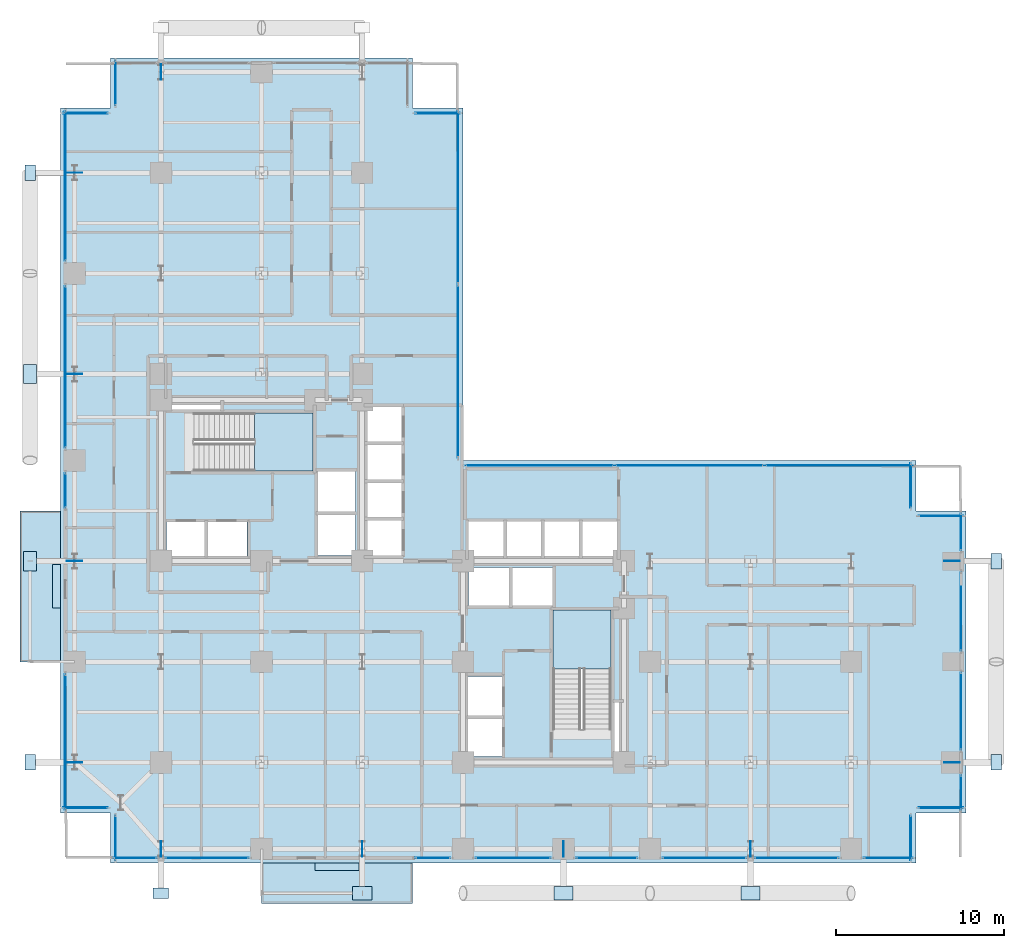
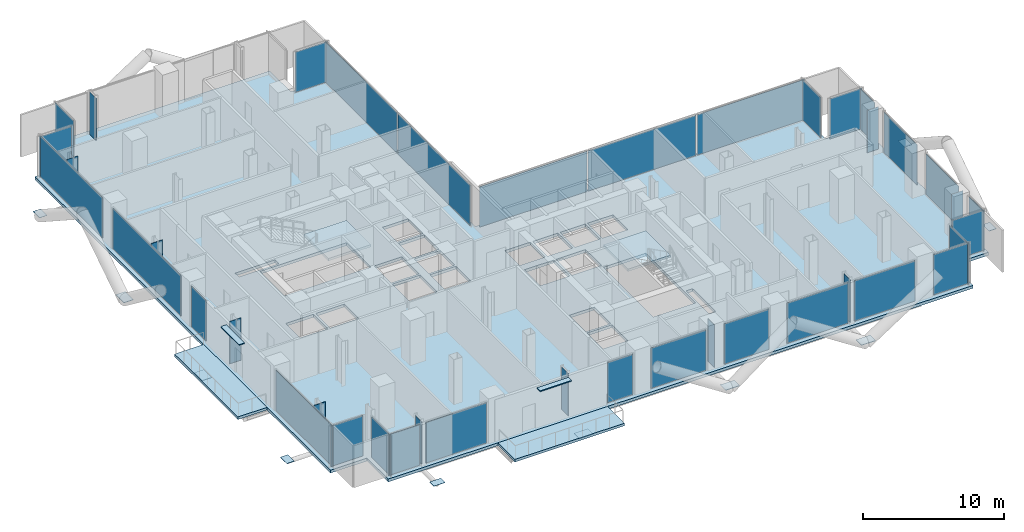
# One storey, part 17 of 25: 53 plates, 5 slabs, 29 elements without a shape of their own.
"""IFC4 building model written with IfcOpenShell, lengths in metres."""

from ifc_helpers import new_model, si_unit, direction, frame, origin, origin_2d, place, context, subcontext, project, spatial, polyline, rectangle, outline, extrude, material, layer, layer_set, type_object, element, aggregate, save


model = new_model("IFC4")

# Units and contexts
model_context = context("Model", 3, precision=1e-05, world=origin(), true_north=direction((0.0, 1.0)))
body_context = subcontext(model_context, "Body", "Model", "MODEL_VIEW")
ifc_project = project(units=[si_unit("LENGTHUNIT", "METRE"), si_unit("AREAUNIT", "SQUARE_METRE"), si_unit("VOLUMEUNIT", "CUBIC_METRE"), si_unit("PLANEANGLEUNIT", "RADIAN"), si_unit("MASSUNIT", "GRAM", prefix="KILO"), si_unit("THERMODYNAMICTEMPERATUREUNIT", "KELVIN"), si_unit("POWERUNIT", "WATT")], contexts=[model_context])

# Site, building, storey
site_placement = place(None, origin())
site = spatial("IfcSite", under=ifc_project, at=site_placement, CompositionType="ELEMENT")
building_placement = place(site_placement, origin())
building = spatial("IfcBuilding", under=site, at=building_placement, Name="Svarakhadi Broadcast Tower", CompositionType="ELEMENT")
storey_placement = place(building_placement, frame((0.0, 0.0, 63.60009765625)))
storey = spatial("IfcBuildingStorey", under=building, at=storey_placement, Name="L14", CompositionType="ELEMENT", Elevation=63.60009765625)

# Curtain wall, plate
ifc_material_1 = material(Name="Anodised Bronze Aluminium AA 6063-T6", Category="aluminium")
ifc_layer_1 = layer(ifc_material_1, 0.219970703125)
ifc_layer_set_1 = layer_set([ifc_layer_1], Name="Anodised Bronze Aluminium AA 6063-T6")
curtain_wall_type = type_object("IfcCurtainWallType", Name="CW_Sys_02", PredefinedType="NOTDEFINED", material=ifc_layer_set_1)
curtain_wall_1_placement = place(storey_placement, origin())
curtain_wall_1 = element("IfcCurtainWall", 1, at=curtain_wall_1_placement, inside=storey, type_object=curtain_wall_type, Name="L14 Unitised Facade Curtain Wall 01", PredefinedType="NOTDEFINED")
ifc_material_2 = material(Name="Double Low-E Laminated Acoustic Glass IGU 36 mm", Category="glass")
ifc_layer_2 = layer(ifc_material_2, 0.035888671875)
ifc_layer_set_2 = layer_set([ifc_layer_2], Name="Double Low-E Laminated Acoustic Glass IGU 36 mm")
plate_type_1 = type_object("IfcPlateType", Name="CW_Sys_02_Pnl", PredefinedType="CURTAIN_PANEL", material=ifc_layer_set_2)
plate_1_placement = place(storey_placement, frame((1.5, 3.300048828125, 0.074951171875), z_axis=(0.0, 0.0, 1.0), x_axis=(-1.0, 0.0, 0.0)))
plate_1 = element("IfcPlate", 2, at=plate_1_placement, type_object=plate_type_1, Name="CW-02 panel 1.1", PredefinedType="CURTAIN_PANEL", context=body_context, shape_type="SweptSolid", body=[
    extrude(rectangle(XDim=2.64990234375, YDim=0.035888671875, at=origin_2d()), origin(), (0.0, 0.0, 1.0), 3.5),
])
aggregate(curtain_wall_1, [plate_1])

curtain_wall_2_placement = place(storey_placement, origin())
curtain_wall_2 = element("IfcCurtainWall", 3, at=curtain_wall_2_placement, inside=storey, type_object=curtain_wall_type, Name="L14 West Curtain Wall 02", PredefinedType="NOTDEFINED")
plate_2_placement = place(storey_placement, frame((0.300048828125, 7.2099609375, 0.074951171875), z_axis=(0.0, 0.0, 1.0), x_axis=(0.0, 1.0, 0.0)))
plate_2 = element("IfcPlate", 4, at=plate_2_placement, type_object=plate_type_1, Name="CW-02 panel 1.1", PredefinedType="CURTAIN_PANEL", context=body_context, shape_type="SweptSolid", body=[
    extrude(rectangle(XDim=8.070068359375, YDim=0.035888671875, at=origin_2d()), origin(), (0.0, 0.0, 1.0), 3.5),
])
aggregate(curtain_wall_2, [plate_2])

curtain_wall_3_placement = place(storey_placement, origin())
curtain_wall_3 = element("IfcCurtainWall", 5, at=curtain_wall_3_placement, inside=storey, type_object=curtain_wall_type, Name="L14 West Curtain Wall 03 Bay 1", PredefinedType="NOTDEFINED")
plate_3_placement = place(storey_placement, frame((0.300048828125, 22.2099609375, 0.074951171875), z_axis=(0.0, 0.0, 1.0), x_axis=(0.0, 1.0, 0.0)))
plate_3 = element("IfcPlate", 6, at=plate_3_placement, type_object=plate_type_1, Name="CW-02 panel 1.1", PredefinedType="CURTAIN_PANEL", context=body_context, shape_type="SweptSolid", body=[
    extrude(rectangle(XDim=2.070068359375, YDim=0.035888671875, at=origin_2d()), origin(), (0.0, 0.0, 1.0), 3.5),
])
aggregate(curtain_wall_3, [plate_3])

curtain_wall_4_placement = place(storey_placement, origin())
curtain_wall_4 = element("IfcCurtainWall", 7, at=curtain_wall_4_placement, inside=storey, type_object=curtain_wall_type, Name="L14 West Curtain Wall 03 Bay 2", PredefinedType="NOTDEFINED")
plate_4_placement = place(storey_placement, frame((0.300048828125, 29.574951171875, 0.074951171875), z_axis=(0.0, 0.0, 1.0), x_axis=(0.0, 1.0, 0.0)))
plate_4 = element("IfcPlate", 8, at=plate_4_placement, type_object=plate_type_1, Name="CW-02 panel 1.1", PredefinedType="CURTAIN_PANEL", context=body_context, shape_type="SweptSolid", body=[
    extrude(rectangle(XDim=9.639892578125, YDim=0.035888671875, at=origin_2d()), origin(), (0.0, 0.0, 1.0), 3.5),
])
aggregate(curtain_wall_4, [plate_4])

curtain_wall_5_placement = place(storey_placement, origin())
curtain_wall_5 = element("IfcCurtainWall", 9, at=curtain_wall_5_placement, inside=storey, type_object=curtain_wall_type, Name="L14 West Curtain Wall 03 Bay 3", PredefinedType="NOTDEFINED")
plate_5_placement = place(storey_placement, frame((0.300048828125, 40.364990234375, 0.074951171875), z_axis=(0.0, 0.0, 1.0), x_axis=(0.0, 1.0, 0.0)))
plate_5 = element("IfcPlate", 10, at=plate_5_placement, type_object=plate_type_1, Name="CW-02 panel 1.1", PredefinedType="CURTAIN_PANEL", context=body_context, shape_type="SweptSolid", body=[
    extrude(rectangle(XDim=8.919921875, YDim=0.035888671875, at=origin_2d()), origin(), (0.0, 0.0, 1.0), 3.5),
])
aggregate(curtain_wall_5, [plate_5])

curtain_wall_6_placement = place(storey_placement, origin())
curtain_wall_6 = element("IfcCurtainWall", 11, at=curtain_wall_6_placement, inside=storey, type_object=curtain_wall_type, Name="L14 Unitised Facade Curtain Wall 04", PredefinedType="NOTDEFINED")
plate_6_placement = place(storey_placement, frame((1.5, 44.699951171875, 0.074951171875), z_axis=(0.0, 0.0, 1.0), x_axis=(1.0, 0.0, 0.0)))
plate_6 = element("IfcPlate", 12, at=plate_6_placement, type_object=plate_type_1, Name="CW-02 panel 1.1", PredefinedType="CURTAIN_PANEL", context=body_context, shape_type="SweptSolid", body=[
    extrude(rectangle(XDim=2.64990234375, YDim=0.035888671875, at=origin_2d()), origin(), (0.0, 0.0, 1.0), 3.5),
])
aggregate(curtain_wall_6, [plate_6])

curtain_wall_7_placement = place(storey_placement, origin())
curtain_wall_7 = element("IfcCurtainWall", 13, at=curtain_wall_7_placement, inside=storey, type_object=curtain_wall_type, Name="L14 Unitised Facade Curtain Wall 05", PredefinedType="NOTDEFINED")
plate_7_placement = place(storey_placement, frame((3.300048828125, 46.5, 0.074951171875), z_axis=(0.0, 0.0, 1.0), x_axis=(0.0, 1.0, 0.0)))
plate_7 = element("IfcPlate", 14, at=plate_7_placement, type_object=plate_type_1, Name="CW-02 panel 1.1", PredefinedType="CURTAIN_PANEL", context=body_context, shape_type="SweptSolid", body=[
    extrude(rectangle(XDim=2.64990234375, YDim=0.035888671875, at=origin_2d()), origin(), (0.0, 0.0, 1.0), 3.5),
])
aggregate(curtain_wall_7, [plate_7])

curtain_wall_8_placement = place(storey_placement, origin())
curtain_wall_8 = element("IfcCurtainWall", 15, at=curtain_wall_8_placement, inside=storey, type_object=curtain_wall_type, Name="L14 Unitised Facade Curtain Wall 08", PredefinedType="NOTDEFINED")
plate_8_placement = place(storey_placement, frame((22.5, 44.699951171875, 0.074951171875), z_axis=(0.0, 0.0, 1.0), x_axis=(1.0, 0.0, 0.0)))
plate_8 = element("IfcPlate", 16, at=plate_8_placement, type_object=plate_type_1, Name="CW-02 panel 1.1", PredefinedType="CURTAIN_PANEL", context=body_context, shape_type="SweptSolid", body=[
    extrude(rectangle(XDim=2.64990234375, YDim=0.035888671875, at=origin_2d()), origin(), (0.0, 0.0, 1.0), 3.5),
])
aggregate(curtain_wall_8, [plate_8])

# Curtain wall, plates
curtain_wall_9_placement = place(storey_placement, origin())
curtain_wall_9 = element("IfcCurtainWall", 17, at=curtain_wall_9_placement, inside=storey, type_object=curtain_wall_type, Name="L14 Unitised Facade Curtain Wall 09", PredefinedType="NOTDEFINED")
plate_9_placement = place(storey_placement, frame((23.699951171875, 39.683837890625, 0.074951171875), z_axis=(0.0, 0.0, 1.0), x_axis=(0.0, -1.0, 0.0)))
plate_9 = element("IfcPlate", 18, at=plate_9_placement, type_object=plate_type_1, Name="CW-02 panel 1.1", PredefinedType="CURTAIN_PANEL", context=body_context, shape_type="SweptSolid", body=[
    extrude(rectangle(XDim=10.282470703125, YDim=0.035888671875, at=origin_2d()), origin(), (0.0, 0.0, 1.0), 3.5),
])
plate_10_placement = place(storey_placement, frame((23.699951171875, 29.316162109375, 0.074951171875), z_axis=(0.0, 0.0, 1.0), x_axis=(0.0, -1.0, 0.0)))
plate_10 = element("IfcPlate", 19, at=plate_10_placement, type_object=plate_type_1, Name="CW-02 panel 2.1", PredefinedType="CURTAIN_PANEL", context=body_context, shape_type="SweptSolid", body=[
    extrude(rectangle(XDim=10.282470703125, YDim=0.035888671875, at=origin_2d()), origin(), (0.0, 0.0, 1.0), 3.5),
])
aggregate(curtain_wall_9, [plate_9, plate_10])

curtain_wall_10_placement = place(storey_placement, origin())
curtain_wall_10 = element("IfcCurtainWall", 20, at=curtain_wall_10_placement, inside=storey, type_object=curtain_wall_type, Name="L14 Unitised Facade Curtain Wall 10", PredefinedType="NOTDEFINED")
plate_11_placement = place(storey_placement, frame((28.581298828125, 23.699951171875, 0.074951171875), z_axis=(0.0, 0.0, 1.0), x_axis=(1.0, 0.0, 0.0)))
plate_11 = element("IfcPlate", 21, at=plate_11_placement, type_object=plate_type_1, Name="CW-02 panel 1.1", PredefinedType="CURTAIN_PANEL", context=body_context, shape_type="SweptSolid", body=[
    extrude(rectangle(XDim=8.8125, YDim=0.035888671875, at=origin_2d()), origin(), (0.0, 0.0, 1.0), 3.5),
])
plate_12_placement = place(storey_placement, frame((37.5, 23.699951171875, 0.074951171875), z_axis=(0.0, 0.0, 1.0), x_axis=(1.0, 0.0, 0.0)))
plate_12 = element("IfcPlate", 22, at=plate_12_placement, type_object=plate_type_1, Name="CW-02 panel 2.1", PredefinedType="CURTAIN_PANEL", context=body_context, shape_type="SweptSolid", body=[
    extrude(rectangle(XDim=8.85498046875, YDim=0.035888671875, at=origin_2d()), origin(), (0.0, 0.0, 1.0), 3.5),
])
plate_13_placement = place(storey_placement, frame((46.418701171875, 23.699951171875, 0.074951171875), z_axis=(0.0, 0.0, 1.0), x_axis=(1.0, 0.0, 0.0)))
plate_13 = element("IfcPlate", 23, at=plate_13_placement, type_object=plate_type_1, Name="CW-02 panel 3.1", PredefinedType="CURTAIN_PANEL", context=body_context, shape_type="SweptSolid", body=[
    extrude(rectangle(XDim=8.8125, YDim=0.035888671875, at=origin_2d()), origin(), (0.0, 0.0, 1.0), 3.5),
])
aggregate(curtain_wall_10, [plate_11, plate_12, plate_13])

# Curtain wall, plate
curtain_wall_11_placement = place(storey_placement, origin())
curtain_wall_11 = element("IfcCurtainWall", 24, at=curtain_wall_11_placement, inside=storey, type_object=curtain_wall_type, Name="L14 Unitised Facade Curtain Wall 11", PredefinedType="NOTDEFINED")
plate_14_placement = place(storey_placement, frame((50.699951171875, 22.5, 0.074951171875), z_axis=(0.0, 0.0, 1.0), x_axis=(0.0, -1.0, 0.0)))
plate_14 = element("IfcPlate", 25, at=plate_14_placement, type_object=plate_type_1, Name="CW-02 panel 1.1", PredefinedType="CURTAIN_PANEL", context=body_context, shape_type="SweptSolid", body=[
    extrude(rectangle(XDim=2.64990234375, YDim=0.035888671875, at=origin_2d()), origin(), (0.0, 0.0, 1.0), 3.5),
])
aggregate(curtain_wall_11, [plate_14])

curtain_wall_12_placement = place(storey_placement, origin())
curtain_wall_12 = element("IfcCurtainWall", 26, at=curtain_wall_12_placement, inside=storey, type_object=curtain_wall_type, Name="L14 Unitised Facade Curtain Wall 12", PredefinedType="NOTDEFINED")
plate_15_placement = place(storey_placement, frame((52.5, 20.699951171875, 0.074951171875), z_axis=(0.0, 0.0, 1.0), x_axis=(1.0, 0.0, 0.0)))
plate_15 = element("IfcPlate", 27, at=plate_15_placement, type_object=plate_type_1, Name="CW-02 panel 1.1", PredefinedType="CURTAIN_PANEL", context=body_context, shape_type="SweptSolid", body=[
    extrude(rectangle(XDim=2.64990234375, YDim=0.035888671875, at=origin_2d()), origin(), (0.0, 0.0, 1.0), 3.5),
])
aggregate(curtain_wall_12, [plate_15])

curtain_wall_13_placement = place(storey_placement, origin())
curtain_wall_13 = element("IfcCurtainWall", 28, at=curtain_wall_13_placement, inside=storey, type_object=curtain_wall_type, Name="L14 Unitised Facade Curtain Wall 13 Bay 1", PredefinedType="NOTDEFINED")
plate_16_placement = place(storey_placement, frame((53.699951171875, 19.739990234375, 0.074951171875), z_axis=(0.0, 0.0, 1.0), x_axis=(0.0, -1.0, 0.0)))
plate_16 = element("IfcPlate", 29, at=plate_16_placement, type_object=plate_type_1, Name="CW-02 panel 1.1", PredefinedType="CURTAIN_PANEL", context=body_context, shape_type="SweptSolid", body=[
    extrude(rectangle(XDim=2.169921875, YDim=0.035888671875, at=origin_2d()), origin(), (0.0, 0.0, 1.0), 3.5),
])
aggregate(curtain_wall_13, [plate_16])

curtain_wall_14_placement = place(storey_placement, origin())
curtain_wall_14 = element("IfcCurtainWall", 30, at=curtain_wall_14_placement, inside=storey, type_object=curtain_wall_type, Name="L14 Unitised Facade Curtain Wall 13 Bay 2", PredefinedType="NOTDEFINED")
plate_17_placement = place(storey_placement, frame((53.699951171875, 15.0, 0.074951171875), z_axis=(0.0, 0.0, 1.0), x_axis=(0.0, -1.0, 0.0)))
plate_17 = element("IfcPlate", 31, at=plate_17_placement, type_object=plate_type_1, Name="CW-02 panel 1.1", PredefinedType="CURTAIN_PANEL", context=body_context, shape_type="SweptSolid", body=[
    extrude(rectangle(XDim=4.68994140625, YDim=0.035888671875, at=origin_2d()), origin(), (0.0, 0.0, 1.0), 3.5),
])
aggregate(curtain_wall_14, [plate_17])

curtain_wall_15_placement = place(storey_placement, origin())
curtain_wall_15 = element("IfcCurtainWall", 32, at=curtain_wall_15_placement, inside=storey, type_object=curtain_wall_type, Name="L14 Unitised Facade Curtain Wall 13 Bay 3", PredefinedType="NOTDEFINED")
plate_18_placement = place(storey_placement, frame((53.699951171875, 9.050048828125, 0.074951171875), z_axis=(0.0, 0.0, 1.0), x_axis=(0.0, -1.0, 0.0)))
plate_18 = element("IfcPlate", 33, at=plate_18_placement, type_object=plate_type_1, Name="CW-02 panel 1.1", PredefinedType="CURTAIN_PANEL", context=body_context, shape_type="SweptSolid", body=[
    extrude(rectangle(XDim=4.590087890625, YDim=0.035888671875, at=origin_2d()), origin(), (0.0, 0.0, 1.0), 3.5),
])
aggregate(curtain_wall_15, [plate_18])

curtain_wall_16_placement = place(storey_placement, origin())
curtain_wall_16 = element("IfcCurtainWall", 34, at=curtain_wall_16_placement, inside=storey, type_object=curtain_wall_type, Name="L14 Unitised Facade Curtain Wall 13 Bay 4", PredefinedType="NOTDEFINED")
plate_19_placement = place(storey_placement, frame((53.699951171875, 4.2099609375, 0.074951171875), z_axis=(0.0, 0.0, 1.0), x_axis=(0.0, -1.0, 0.0)))
plate_19 = element("IfcPlate", 35, at=plate_19_placement, type_object=plate_type_1, Name="CW-02 panel 1.1", PredefinedType="CURTAIN_PANEL", context=body_context, shape_type="SweptSolid", body=[
    extrude(rectangle(XDim=2.070068359375, YDim=0.035888671875, at=origin_2d()), origin(), (0.0, 0.0, 1.0), 3.5),
])
aggregate(curtain_wall_16, [plate_19])

curtain_wall_17_placement = place(storey_placement, origin())
curtain_wall_17 = element("IfcCurtainWall", 36, at=curtain_wall_17_placement, inside=storey, type_object=curtain_wall_type, Name="L14 Unitised Facade Curtain Wall 14", PredefinedType="NOTDEFINED")
plate_20_placement = place(storey_placement, frame((52.5, 3.300048828125, 0.074951171875), z_axis=(0.0, 0.0, 1.0), x_axis=(-1.0, 0.0, 0.0)))
plate_20 = element("IfcPlate", 37, at=plate_20_placement, type_object=plate_type_1, Name="CW-02 panel 1.1", PredefinedType="CURTAIN_PANEL", context=body_context, shape_type="SweptSolid", body=[
    extrude(rectangle(XDim=2.64990234375, YDim=0.035888671875, at=origin_2d()), origin(), (0.0, 0.0, 1.0), 3.5),
])
aggregate(curtain_wall_17, [plate_20])

curtain_wall_18_placement = place(storey_placement, origin())
curtain_wall_18 = element("IfcCurtainWall", 38, at=curtain_wall_18_placement, inside=storey, type_object=curtain_wall_type, Name="L14 Unitised Facade Curtain Wall 15", PredefinedType="NOTDEFINED")
plate_21_placement = place(storey_placement, frame((50.699951171875, 1.5, 0.074951171875), z_axis=(0.0, 0.0, 1.0), x_axis=(0.0, -1.0, 0.0)))
plate_21 = element("IfcPlate", 39, at=plate_21_placement, type_object=plate_type_1, Name="CW-02 panel 1.1", PredefinedType="CURTAIN_PANEL", context=body_context, shape_type="SweptSolid", body=[
    extrude(rectangle(XDim=2.64990234375, YDim=0.035888671875, at=origin_2d()), origin(), (0.0, 0.0, 1.0), 3.5),
])
aggregate(curtain_wall_18, [plate_21])

curtain_wall_19_placement = place(storey_placement, origin())
curtain_wall_19 = element("IfcCurtainWall", 40, at=curtain_wall_19_placement, inside=storey, type_object=curtain_wall_type, Name="L14 South Curtain Wall 16 Bay 1", PredefinedType="NOTDEFINED")
plate_22_placement = place(storey_placement, frame((49.364990234375, 0.300048828125, 0.074951171875), z_axis=(0.0, 0.0, 1.0), x_axis=(-1.0, 0.0, 0.0)))
plate_22 = element("IfcPlate", 41, at=plate_22_placement, type_object=plate_type_1, Name="CW-02 panel 1.1", PredefinedType="CURTAIN_PANEL", context=body_context, shape_type="SweptSolid", body=[
    extrude(rectangle(XDim=2.919921875, YDim=0.035888671875, at=origin_2d()), origin(), (0.0, 0.0, 1.0), 3.5),
])
aggregate(curtain_wall_19, [plate_22])

curtain_wall_20_placement = place(storey_placement, origin())
curtain_wall_20 = element("IfcCurtainWall", 42, at=curtain_wall_20_placement, inside=storey, type_object=curtain_wall_type, Name="L14 South Curtain Wall 16 Bay 2", PredefinedType="NOTDEFINED")
plate_23_placement = place(storey_placement, frame((43.89990234375, 0.300048828125, 0.074951171875), z_axis=(0.0, 0.0, 1.0), x_axis=(-1.0, 0.0, 0.0)))
plate_23 = element("IfcPlate", 43, at=plate_23_placement, type_object=plate_type_1, Name="CW-02 panel 1.1", PredefinedType="CURTAIN_PANEL", context=body_context, shape_type="SweptSolid", body=[
    extrude(rectangle(XDim=4.989990234375, YDim=0.035888671875, at=origin_2d()), origin(), (0.0, 0.0, 1.0), 3.5),
])
aggregate(curtain_wall_20, [plate_23])

curtain_wall_21_placement = place(storey_placement, origin())
curtain_wall_21 = element("IfcCurtainWall", 44, at=curtain_wall_21_placement, inside=storey, type_object=curtain_wall_type, Name="L14 South Curtain Wall 16 Bay 3", PredefinedType="NOTDEFINED")
plate_24_placement = place(storey_placement, frame((38.39990234375, 0.300048828125, 0.074951171875), z_axis=(0.0, 0.0, 1.0), x_axis=(-1.0, 0.0, 0.0)))
plate_24 = element("IfcPlate", 45, at=plate_24_placement, type_object=plate_type_1, Name="CW-02 panel 1.1", PredefinedType="CURTAIN_PANEL", context=body_context, shape_type="SweptSolid", body=[
    extrude(rectangle(XDim=4.989990234375, YDim=0.035888671875, at=origin_2d()), origin(), (0.0, 0.0, 1.0), 3.5),
])
aggregate(curtain_wall_21, [plate_24])

curtain_wall_22_placement = place(storey_placement, origin())
curtain_wall_22 = element("IfcCurtainWall", 46, at=curtain_wall_22_placement, inside=storey, type_object=curtain_wall_type, Name="L14 South Curtain Wall 16 Bay 4", PredefinedType="NOTDEFINED")
plate_25_placement = place(storey_placement, frame((32.574951171875, 0.300048828125, 0.074951171875), z_axis=(0.0, 0.0, 1.0), x_axis=(-1.0, 0.0, 0.0)))
plate_25 = element("IfcPlate", 47, at=plate_25_placement, type_object=plate_type_1, Name="CW-02 panel 1.1", PredefinedType="CURTAIN_PANEL", context=body_context, shape_type="SweptSolid", body=[
    extrude(rectangle(XDim=3.639892578125, YDim=0.035888671875, at=origin_2d()), origin(), (0.0, 0.0, 1.0), 3.5),
])
aggregate(curtain_wall_22, [plate_25])

curtain_wall_23_placement = place(storey_placement, origin())
curtain_wall_23 = element("IfcCurtainWall", 48, at=curtain_wall_23_placement, inside=storey, type_object=curtain_wall_type, Name="L14 South Curtain Wall 16 Bay 5", PredefinedType="NOTDEFINED")
plate_26_placement = place(storey_placement, frame((27.0, 0.300048828125, 0.074951171875), z_axis=(0.0, 0.0, 1.0), x_axis=(-1.0, 0.0, 0.0)))
plate_26 = element("IfcPlate", 49, at=plate_26_placement, type_object=plate_type_1, Name="CW-02 panel 1.1", PredefinedType="CURTAIN_PANEL", context=body_context, shape_type="SweptSolid", body=[
    extrude(rectangle(XDim=4.489990234375, YDim=0.035888671875, at=origin_2d()), origin(), (0.0, 0.0, 1.0), 3.5),
])
aggregate(curtain_wall_23, [plate_26])

curtain_wall_24_placement = place(storey_placement, origin())
curtain_wall_24 = element("IfcCurtainWall", 50, at=curtain_wall_24_placement, inside=storey, type_object=curtain_wall_type, Name="L14 South Curtain Wall 16 Bay 6", PredefinedType="NOTDEFINED")
plate_27_placement = place(storey_placement, frame((22.2099609375, 0.300048828125, 0.074951171875), z_axis=(0.0, 0.0, 1.0), x_axis=(-1.0, 0.0, 0.0)))
plate_27 = element("IfcPlate", 51, at=plate_27_placement, type_object=plate_type_1, Name="CW-02 panel 1.1", PredefinedType="CURTAIN_PANEL", context=body_context, shape_type="SweptSolid", body=[
    extrude(rectangle(XDim=2.070068359375, YDim=0.035888671875, at=origin_2d()), origin(), (0.0, 0.0, 1.0), 3.5),
])
aggregate(curtain_wall_24, [plate_27])

curtain_wall_25_placement = place(storey_placement, origin())
curtain_wall_25 = element("IfcCurtainWall", 52, at=curtain_wall_25_placement, inside=storey, type_object=curtain_wall_type, Name="L14 South Curtain Wall 17 Bay 1", PredefinedType="NOTDEFINED")
plate_28_placement = place(storey_placement, frame((8.75, 0.300048828125, 0.074951171875), z_axis=(0.0, 0.0, 1.0), x_axis=(-1.0, 0.0, 0.0)))
plate_28 = element("IfcPlate", 53, at=plate_28_placement, type_object=plate_type_1, Name="CW-02 panel 1.1", PredefinedType="CURTAIN_PANEL", context=body_context, shape_type="SweptSolid", body=[
    extrude(rectangle(XDim=4.989990234375, YDim=0.035888671875, at=origin_2d()), origin(), (0.0, 0.0, 1.0), 3.5),
])
aggregate(curtain_wall_25, [plate_28])

curtain_wall_26_placement = place(storey_placement, origin())
curtain_wall_26 = element("IfcCurtainWall", 54, at=curtain_wall_26_placement, inside=storey, type_object=curtain_wall_type, Name="L14 South Curtain Wall 17 Bay 2", PredefinedType="NOTDEFINED")
plate_29_placement = place(storey_placement, frame((4.4599609375, 0.300048828125, 0.074951171875), z_axis=(0.0, 0.0, 1.0), x_axis=(-1.0, 0.0, 0.0)))
plate_29 = element("IfcPlate", 55, at=plate_29_placement, type_object=plate_type_1, Name="CW-02 panel 1.1", PredefinedType="CURTAIN_PANEL", context=body_context, shape_type="SweptSolid", body=[
    extrude(rectangle(XDim=2.570068359375, YDim=0.035888671875, at=origin_2d()), origin(), (0.0, 0.0, 1.0), 3.5),
])
aggregate(curtain_wall_26, [plate_29])

curtain_wall_27_placement = place(storey_placement, origin())
curtain_wall_27 = element("IfcCurtainWall", 56, at=curtain_wall_27_placement, inside=storey, type_object=curtain_wall_type, Name="L14 Unitised Facade Curtain Wall 18", PredefinedType="NOTDEFINED")
plate_30_placement = place(storey_placement, frame((3.300048828125, 1.5, 0.074951171875), z_axis=(0.0, 0.0, 1.0), x_axis=(0.0, 1.0, 0.0)))
plate_30 = element("IfcPlate", 57, at=plate_30_placement, type_object=plate_type_1, Name="CW-02 panel 1.1", PredefinedType="CURTAIN_PANEL", context=body_context, shape_type="SweptSolid", body=[
    extrude(rectangle(XDim=2.64990234375, YDim=0.035888671875, at=origin_2d()), origin(), (0.0, 0.0, 1.0), 3.5),
])
aggregate(curtain_wall_27, [plate_30])

# Plates
ifc_material_3 = material(Name="Steel S460ML (IS 2062 E450BR)", Category="steel")
ifc_layer_3 = layer(ifc_material_3, 0.035888671875)
ifc_layer_set_3 = layer_set([ifc_layer_3], Name="Steel S460ML (IS 2062 E450BR)")
plate_type_2 = type_object("IfcPlateType", Name="Node_Gusset_N01", PredefinedType="SHEET", material=ifc_layer_set_3)
for number, where, z_axis, x_axis, name in (
    (58, (18.0, -1.800048828125, -0.25), (0.0, 0.0, 1.0), (1.0, 0.0, 0.0), "L14 Exoskeleton Gusset Node Plate S02"),
    (59, (30.0, -1.800048828125, -0.25), (0.0, 0.0, 1.0), (1.0, 0.0, 0.0), "L14 Exoskeleton Gusset Node Plate S03"),
    (60, (41.14990234375, -1.800048828125, -0.25), (0.0, 0.0, 1.0), (1.0, 0.0, 0.0), "L14 Exoskeleton Gusset Node Plate S04"),
    (61, (-1.800048828125, 18.0, -0.25), (0.0, 0.0, 1.0), (0.0, 1.0, 0.0), "L14 Exoskeleton Gusset Node Plate W06"),
    (62, (-1.800048828125, 29.14990234375, -0.25), (0.0, 0.0, 1.0), (0.0, 1.0, 0.0), "L14 Exoskeleton Gusset Node Plate W07"),
):
    element("IfcPlate", number, at=place(storey_placement, frame(where, z_axis=z_axis, x_axis=x_axis)), inside=storey, type_object=plate_type_2, Name=name, PredefinedType="SHEET", context=body_context, shape_type="SweptSolid", body=[
        extrude(rectangle(XDim=1.14990234375, YDim=0.780029296875, at=origin_2d()), origin(), (0.0, 0.0, 1.0), 0.035888671875),
    ])
ifc_layer_4 = layer(ifc_material_3, 0.02587890625)
ifc_layer_set_4 = layer_set([ifc_layer_4], Name="Steel S460ML (IS 2062 E450BR)")
plate_type_3 = type_object("IfcPlateType", Name="Node_Gusset_N07", PredefinedType="SHEET", material=ifc_layer_set_4)
for number, where, z_axis, x_axis, name in (
    (63, (6.0, -1.800048828125, -0.25), (0.0, 0.0, 1.0), (1.0, 0.0, 0.0), "L14 Exoskeleton Gusset Node Plate S01"),
    (64, (-1.800048828125, 6.0, -0.25), (0.0, 0.0, 1.0), (0.0, 1.0, 0.0), "L14 Exoskeleton Gusset Node Plate W05"),
    (65, (-1.800048828125, 41.14990234375, -0.25), (0.0, 0.0, 1.0), (0.0, 1.0, 0.0), "L14 Exoskeleton Gusset Node Plate W08"),
    (66, (55.800048828125, 6.0, -0.25), (0.0, 0.0, 1.0), (0.0, 1.0, 0.0), "L14 Exoskeleton Gusset Node Plate E09"),
    (67, (55.800048828125, 18.0, -0.25), (0.0, 0.0, 1.0), (0.0, 1.0, 0.0), "L14 Exoskeleton Gusset Node Plate E10"),
):
    element("IfcPlate", number, at=place(storey_placement, frame(where, z_axis=z_axis, x_axis=x_axis)), inside=storey, type_object=plate_type_3, Name=name, PredefinedType="SHEET", context=body_context, shape_type="SweptSolid", body=[
        extrude(rectangle(XDim=0.919921875, YDim=0.6201171875, at=origin_2d()), origin(), (0.0, 0.0, 1.0), 0.02587890625),
    ])
for number, where, z_axis, x_axis, name in (
    (68, (6.0, 0.85009765625, -0.6279296875), (0.0, 0.0, 1.0), (0.0, 1.0, 0.0), "L14 Brace End Connection Gusset Plate N-07-E0091"),
    (69, (18.0, 0.85009765625, -0.6279296875), (0.0, 0.0, 1.0), (0.0, 1.0, 0.0), "L14 Brace End Connection Gusset Plate N-07-E0092"),
    (70, (30.0, 0.85009765625, -0.6279296875), (0.0, 0.0, 1.0), (0.0, 1.0, 0.0), "L14 Brace End Connection Gusset Plate N-07-E0093"),
    (71, (41.14990234375, 0.85009765625, -0.6279296875), (0.0, 0.0, 1.0), (0.0, 1.0, 0.0), "L14 Brace End Connection Gusset Plate N-07-E0094"),
    (72, (0.85009765625, 6.0, -0.6279296875), (0.0, 0.0, 1.0), (1.0, 0.0, 0.0), "L14 Brace End Connection Gusset Plate N-07-E0095"),
    (73, (0.85009765625, 18.0, -0.6279296875), (0.0, 0.0, 1.0), (1.0, 0.0, 0.0), "L14 Brace End Connection Gusset Plate N-07-E0096"),
    (74, (0.85009765625, 29.14990234375, -0.6279296875), (0.0, 0.0, 1.0), (1.0, 0.0, 0.0), "L14 Brace End Connection Gusset Plate N-07-E0097"),
    (75, (0.85009765625, 41.14990234375, -0.6279296875), (0.0, 0.0, 1.0), (1.0, 0.0, 0.0), "L14 Brace End Connection Gusset Plate N-07-E0098"),
    (76, (53.14990234375, 6.0, -0.6279296875), (0.0, 0.0, 1.0), (1.0, 0.0, 0.0), "L14 Brace End Connection Gusset Plate N-07-E0099"),
    (77, (53.14990234375, 18.0, -0.6279296875), (0.0, 0.0, 1.0), (1.0, 0.0, 0.0), "L14 Brace End Connection Gusset Plate N-07-E0100"),
    (78, (6.0, 47.14990234375, -0.6279296875), (0.0, 0.0, 1.0), (0.0, 1.0, 0.0), "L14 Brace End Connection Gusset Plate N-07-E0101"),
):
    element("IfcPlate", number, at=place(storey_placement, frame(where, z_axis=z_axis, x_axis=x_axis)), inside=storey, type_object=plate_type_3, Name=name, PredefinedType="SHEET", context=body_context, shape_type="SweptSolid", body=[
        extrude(rectangle(XDim=0.919921875, YDim=0.02587890625, at=origin_2d()), origin(), (0.0, 0.0, 1.0), 4.300048828125),
    ])

# Slab
ifc_material_4 = material(Name="Concrete C40/50 (IS 456 M50)", Category="concrete")
ifc_layer_5 = layer(ifc_material_4, 0.25)
ifc_layer_set_5 = layer_set([ifc_layer_5], Name="Concrete C40/50 (IS 456 M50)")
slab_type_1 = type_object("IfcSlabType", Name="Slab_Floor_250", PredefinedType="FLOOR", material=ifc_layer_set_5)
slab_1_placement = place(storey_placement, frame((0.0, 0.0, -0.25)))
element("IfcSlab", 79, at=slab_1_placement, inside=storey, type_object=slab_type_1, Name="L14 Structural Floor Slab", PredefinedType="FLOOR", context=body_context, shape_type="SweptSolid", body=[
    extrude(outline(polyline([(3.0, 0.0), (51.0, 0.0), (51.0, 3.0), (54.0, 3.0), (54.0, 21.0), (51.0, 21.0), (51.0, 24.0), (24.0, 24.0), (24.0, 45.0), (21.0, 45.0), (21.0, 48.0), (3.0, 48.0), (3.0, 45.0), (0.0, 45.0), (0.0, 3.0), (3.0, 3.0), (3.0, 0.0)]), holes=[polyline([(7.97998046875, 23.360107421875), (15.080078125, 23.360107421875), (15.080078125, 26.840087890625), (7.97998046875, 26.840087890625), (7.97998046875, 23.360107421875)]), polyline([(32.840087890625, 7.97998046875), (32.840087890625, 15.080078125), (29.360107421875, 15.080078125), (29.360107421875, 7.97998046875), (32.840087890625, 7.97998046875)]), polyline([(6.340087890625, 18.2900390625), (8.610107421875, 18.2900390625), (8.610107421875, 20.330078125), (6.340087890625, 20.330078125), (6.340087890625, 18.2900390625)]), polyline([(8.7900390625, 18.2900390625), (11.1298828125, 18.2900390625), (11.1298828125, 20.330078125), (8.7900390625, 20.330078125), (8.7900390625, 18.2900390625)]), polyline([(24.2900390625, 6.340087890625), (26.330078125, 6.340087890625), (26.330078125, 8.610107421875), (24.2900390625, 8.610107421875), (24.2900390625, 6.340087890625)]), polyline([(24.2900390625, 8.7900390625), (26.330078125, 8.7900390625), (26.330078125, 11.1298828125), (24.2900390625, 11.1298828125), (24.2900390625, 8.7900390625)]), polyline([(6.340087890625, 26.989990234375), (9.610107421875, 26.989990234375), (9.610107421875, 27.530029296875), (6.340087890625, 27.530029296875), (6.340087890625, 26.989990234375)]), polyline([(32.989990234375, 6.340087890625), (33.530029296875, 6.340087890625), (33.530029296875, 9.610107421875), (32.989990234375, 9.610107421875), (32.989990234375, 6.340087890625)]), polyline([(15.340087890625, 18.340087890625), (17.610107421875, 18.340087890625), (17.610107421875, 20.760009765625), (15.340087890625, 20.760009765625), (15.340087890625, 18.340087890625)]), polyline([(15.340087890625, 20.93994140625), (17.610107421875, 20.93994140625), (17.610107421875, 23.360107421875), (15.340087890625, 23.360107421875), (15.340087890625, 20.93994140625)]), polyline([(24.340087890625, 15.340087890625), (26.760009765625, 15.340087890625), (26.760009765625, 17.610107421875), (24.340087890625, 17.610107421875), (24.340087890625, 15.340087890625)]), polyline([(26.93994140625, 15.340087890625), (29.360107421875, 15.340087890625), (29.360107421875, 17.610107421875), (26.93994140625, 17.610107421875), (26.93994140625, 15.340087890625)]), polyline([(18.239990234375, 18.340087890625), (20.360107421875, 18.340087890625), (20.360107421875, 20.429931640625), (18.239990234375, 20.429931640625), (18.239990234375, 18.340087890625)]), polyline([(18.239990234375, 20.610107421875), (20.360107421875, 20.610107421875), (20.360107421875, 22.679931640625), (18.239990234375, 22.679931640625), (18.239990234375, 20.610107421875)]), polyline([(18.239990234375, 22.860107421875), (20.360107421875, 22.860107421875), (20.360107421875, 24.929931640625), (18.239990234375, 24.929931640625), (18.239990234375, 22.860107421875)]), polyline([(18.239990234375, 25.110107421875), (20.360107421875, 25.110107421875), (20.360107421875, 27.2099609375), (18.239990234375, 27.2099609375), (18.239990234375, 25.110107421875)]), polyline([(24.340087890625, 18.239990234375), (26.429931640625, 18.239990234375), (26.429931640625, 20.360107421875), (24.340087890625, 20.360107421875), (24.340087890625, 18.239990234375)]), polyline([(26.610107421875, 18.239990234375), (28.679931640625, 18.239990234375), (28.679931640625, 20.360107421875), (26.610107421875, 20.360107421875), (26.610107421875, 18.239990234375)]), polyline([(28.860107421875, 18.239990234375), (30.929931640625, 18.239990234375), (30.929931640625, 20.360107421875), (28.860107421875, 20.360107421875), (28.860107421875, 18.239990234375)]), polyline([(31.110107421875, 18.239990234375), (33.2099609375, 18.239990234375), (33.2099609375, 20.360107421875), (31.110107421875, 20.360107421875), (31.110107421875, 18.239990234375)])]), origin(), (0.0, 0.0, 1.0), 0.25),
])

# Stair, slab
stair_type = type_object("IfcStairType", Name="Stair_Exit_Core", PredefinedType="HALF_TURN_STAIR", material=ifc_material_4)
stair_1_placement = place(storey_placement, origin())
stair_1 = element("IfcStair", 80, at=stair_1_placement, inside=storey, type_object=stair_type, Name="L14 West Core Protected Exit Stair ST-01", PredefinedType="HALF_TURN_STAIR")
ifc_layer_6 = layer(ifc_material_4, 0.199951171875)
ifc_layer_set_6 = layer_set([ifc_layer_6], Name="Concrete C40/50 (IS 456 M50)")
slab_type_2 = type_object("IfcSlabType", Name="Slab_Stair_Land", PredefinedType="LANDING", material=ifc_layer_set_6)
slab_2_placement = place(storey_placement, frame((0.0, 0.0, 1.75)))
slab_2 = element("IfcSlab", 81, at=slab_2_placement, type_object=slab_type_2, Name="ST-01 landing 1", PredefinedType="LANDING", context=body_context, shape_type="SweptSolid", body=[
    extrude(outline(polyline([(11.580078125, 23.360107421875), (15.080078125, 23.360107421875), (15.080078125, 26.840087890625), (11.580078125, 26.840087890625), (11.580078125, 23.360107421875)])), origin(), (0.0, 0.0, 1.0), 0.199951171875),
])
aggregate(stair_1, [slab_2])

stair_2_placement = place(storey_placement, origin())
stair_2 = element("IfcStair", 82, at=stair_2_placement, inside=storey, type_object=stair_type, Name="L14 East Core Protected Exit Stair ST-02", PredefinedType="HALF_TURN_STAIR")
slab_3_placement = place(storey_placement, frame((0.0, 0.0, 1.75)))
slab_3 = element("IfcSlab", 83, at=slab_3_placement, type_object=slab_type_2, Name="ST-02 landing 1", PredefinedType="LANDING", context=body_context, shape_type="SweptSolid", body=[
    extrude(outline(polyline([(32.840087890625, 11.580078125), (32.840087890625, 15.080078125), (29.360107421875, 15.080078125), (29.360107421875, 11.580078125), (32.840087890625, 11.580078125)])), origin(), (0.0, 0.0, 1.0), 0.199951171875),
])
aggregate(stair_2, [slab_3])

# Slabs
ifc_layer_7 = layer(ifc_material_4, 0.22509765625)
ifc_layer_set_7 = layer_set([ifc_layer_7], Name="Concrete C40/50 (IS 456 M50)")
slab_type_3 = type_object("IfcSlabType", Name="Slab_TreeBalcony", PredefinedType="FLOOR", material=ifc_layer_set_7)
slab_4_placement = place(storey_placement, frame((0.0, 0.0, -0.22509765625)))
element("IfcSlab", 84, at=slab_4_placement, inside=storey, type_object=slab_type_3, Name="L14 Planted Tree Balcony Slab BAL-S", PredefinedType="FLOOR", context=body_context, shape_type="SweptSolid", body=[
    extrude(outline(polyline([(12.0, -2.39990234375), (21.0, -2.39990234375), (21.0, 0.0), (12.0, 0.0), (12.0, -2.39990234375)])), origin(), (0.0, 0.0, 1.0), 0.22509765625),
])
slab_5_placement = place(storey_placement, frame((0.0, 0.0, -0.22509765625)))
element("IfcSlab", 85, at=slab_5_placement, inside=storey, type_object=slab_type_3, Name="L14 Planted Tree Balcony Slab BAL-W", PredefinedType="FLOOR", context=body_context, shape_type="SweptSolid", body=[
    extrude(outline(polyline([(-2.39990234375, 12.0), (0.0, 12.0), (0.0, 21.0), (-2.39990234375, 21.0), (-2.39990234375, 12.0)])), origin(), (0.0, 0.0, 1.0), 0.22509765625),
])

# Plates
ifc_layer_8 = layer(ifc_material_1, 0.080078125)
ifc_layer_set_8 = layer_set([ifc_layer_8], Name="Anodised Bronze Aluminium AA 6063-T6")
plate_type_4 = type_object("IfcPlateType", Name="Sunshade_Fin_SS01", PredefinedType="USERDEFINED", material=ifc_layer_set_8)
for number, where, z_axis, x_axis, name in (
    (86, (16.5, -0.22509765625, 3.56982421875), (0.0, 0.0, 1.0), (1.0, 0.0, 0.0), "L14 South Bronze Brise-Soleil Sunshade SS-01"),
    (87, (-0.22509765625, 16.5, 3.56982421875), (0.0, 0.0, 1.0), (0.0, 1.0, 0.0), "L14 West Bronze Brise-Soleil Sunshade SS-01"),
):
    element("IfcPlate", number, at=place(storey_placement, frame(where, z_axis=z_axis, x_axis=x_axis)), inside=storey, type_object=plate_type_4, Name=name, ObjectType="SUNSHADE", PredefinedType="USERDEFINED", context=body_context, shape_type="SweptSolid", body=[
        extrude(rectangle(XDim=2.60009765625, YDim=0.449951171875, at=origin_2d()), origin(), (0.0, 0.0, 1.0), 0.080078125),
    ])

save(model, "model.ifc")
